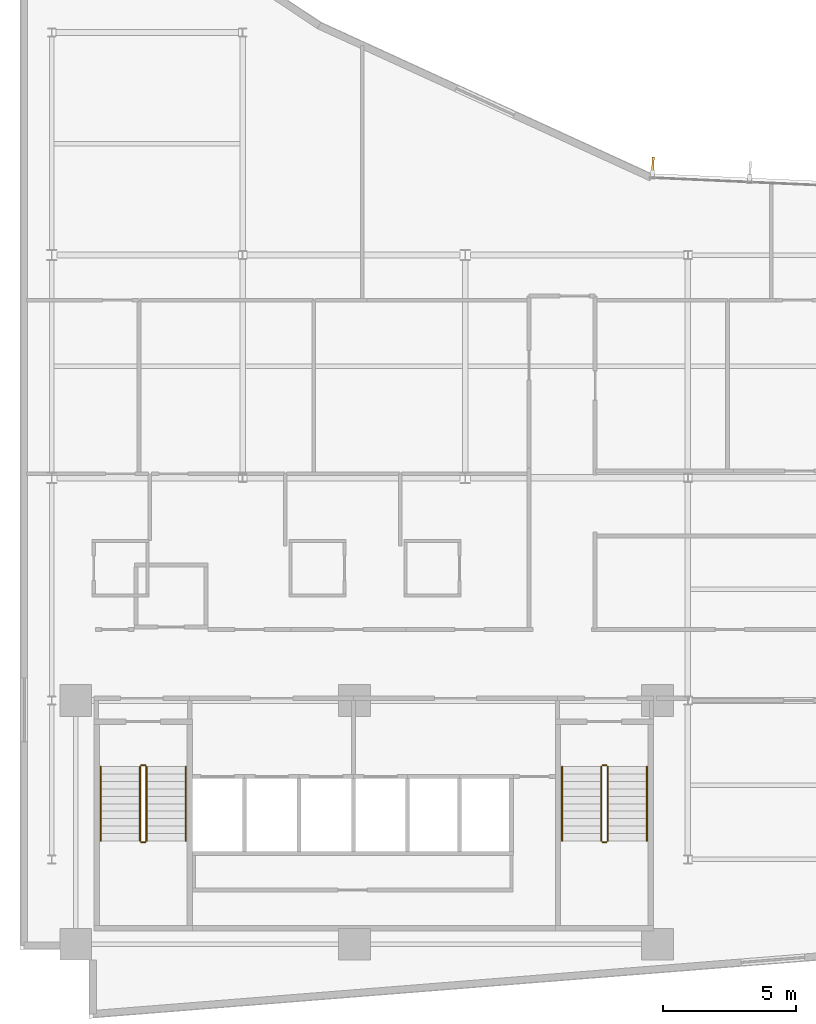
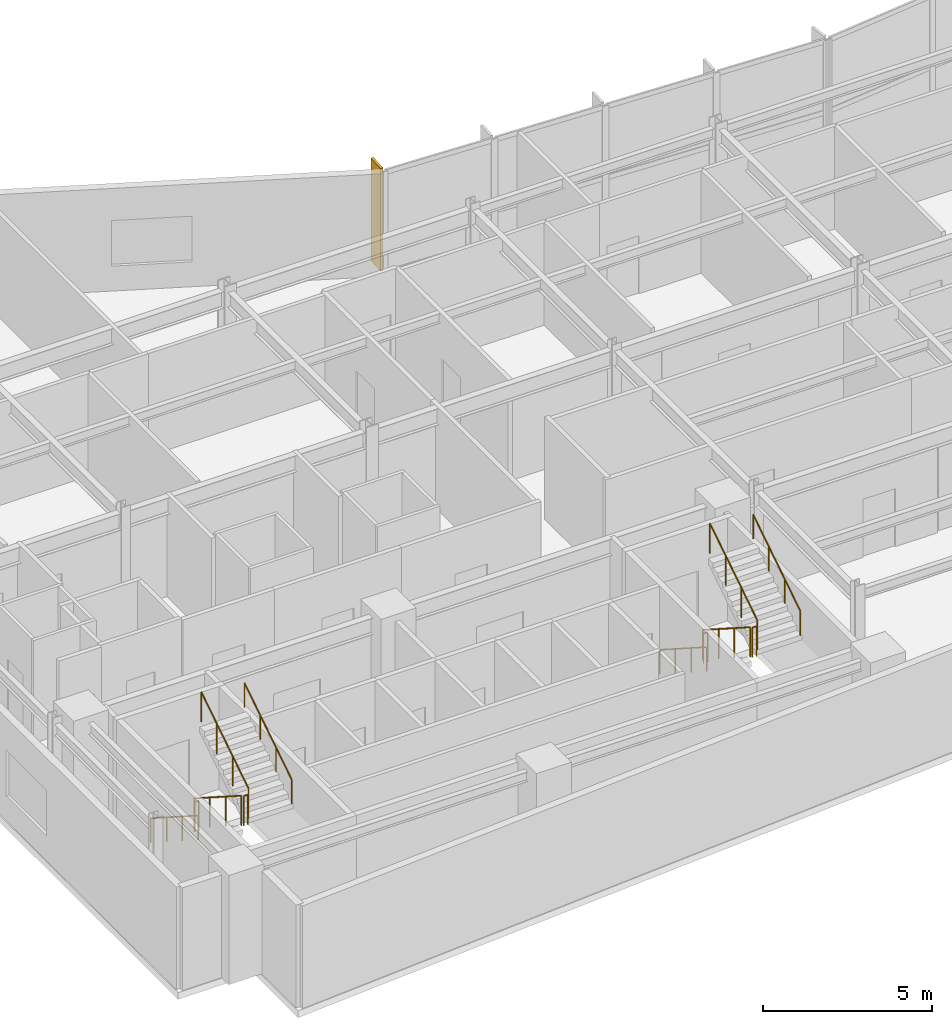
# One storey, part 13 of 17: 12 railings, 1 shading device.
"""IFC4 building model written with IfcOpenShell, lengths in metres."""

from ifc_helpers import new_model, si_unit, direction, frame, origin, origin_2d, place, context, subcontext, project, spatial, rectangle, circle, extrude, material, layer, layer_set, type_object, element, save


model = new_model("IFC4")

# Units and contexts
model_context = context("Model", 3, precision=1e-05, world=origin(), true_north=direction((0.0, 1.0)))
body_context = subcontext(model_context, "Body", "Model", "MODEL_VIEW")
ifc_project = project(units=[si_unit("LENGTHUNIT", "METRE"), si_unit("AREAUNIT", "SQUARE_METRE"), si_unit("VOLUMEUNIT", "CUBIC_METRE"), si_unit("PLANEANGLEUNIT", "RADIAN"), si_unit("MASSUNIT", "GRAM", prefix="KILO")], contexts=[model_context])

# Site, building, storey
site_placement = place(None, origin())
site = spatial("IfcSite", under=ifc_project, at=site_placement, CompositionType="ELEMENT")
building_placement = place(site_placement, origin())
building = spatial("IfcBuilding", under=site, at=building_placement, Name="Varnakote Quay Hospital", CompositionType="ELEMENT")
storey_placement = place(building_placement, frame((0.0, 0.0, 111.25)))
storey = spatial("IfcBuildingStorey", under=building, at=storey_placement, Name="L27", CompositionType="ELEMENT", Elevation=111.25)

# Railings
ifc_material_1 = material(Name="Brushed stainless steel balustrade", Category="steel")
railing_type_1 = type_object("IfcRailingType", Name="RLG-STAIR-GUARD-1150", PredefinedType="GUARDRAIL", material=ifc_material_1)
railing_1_placement = place(storey_placement, frame((4.530029296875, 9.5, 0.179443359375)))
element("IfcRailing", 1, at=railing_1_placement, inside=storey, type_object=railing_type_1, Name="L27 ST-01 stair guard 1", PredefinedType="GUARDRAIL", context=body_context, shape_type="SweptSolid", body=[
    extrude(circle(Radius=0.02392578125, at=origin_2d()), frame((0.0, 0.0, 1.076171875), z_axis=(0.0, -0.841776520102, 0.539826166654), x_axis=(1.0, 0.0, 0.0)), (0.0, 0.0, 1.0), 3.326416015625),
    extrude(circle(Radius=0.02099609375, at=origin_2d()), origin(), (0.0, 0.0, 1.0), 1.052001953125),
    extrude(circle(Radius=0.02099609375, at=origin_2d()), frame((0.0, -0.933349609375, 0.5986328125)), (0.0, 0.0, 1.0), 1.052001953125),
    extrude(circle(Radius=0.02099609375, at=origin_2d()), frame((0.0, -1.86669921875, 1.197021484375)), (0.0, 0.0, 1.0), 1.052001953125),
    extrude(circle(Radius=0.02099609375, at=origin_2d()), frame((0.0, -2.800048828125, 1.795654296875)), (0.0, 0.0, 1.0), 1.052001953125),
])
railing_2_placement = place(storey_placement, frame((4.580078125, 6.64990234375, 1.97509765625)))
element("IfcRailing", 2, at=railing_2_placement, inside=storey, type_object=railing_type_1, Name="L27 ST-01 stair guard 2", PredefinedType="GUARDRAIL", context=body_context, shape_type="SweptSolid", body=[
    extrude(circle(Radius=0.02392578125, at=origin_2d()), frame((0.0, 0.0, 1.076171875), z_axis=(1.0, 0.0, 0.0), x_axis=(0.0, 1.0, 0.0)), (0.0, 0.0, 1.0), 0.139892578125),
    extrude(circle(Radius=0.02099609375, at=origin_2d()), origin(), (0.0, 0.0, 1.0), 1.052001953125),
    extrude(circle(Radius=0.02099609375, at=origin_2d()), frame((0.139892578125, 0.0, 0.0)), (0.0, 0.0, 1.0), 1.052001953125),
])
railing_3_placement = place(storey_placement, frame((4.77001953125, 6.699951171875, 2.154541015625)))
element("IfcRailing", 3, at=railing_3_placement, inside=storey, type_object=railing_type_1, Name="L27 ST-01 stair guard 3", PredefinedType="GUARDRAIL", context=body_context, shape_type="SweptSolid", body=[
    extrude(circle(Radius=0.02392578125, at=origin_2d()), frame((0.0, 0.0, 1.076171875), z_axis=(0.0, 0.841809871826, 0.539774156196), x_axis=(-1.0, 0.0, 0.0)), (0.0, 0.0, 1.0), 3.326171875),
    extrude(circle(Radius=0.02099609375, at=origin_2d()), origin(), (0.0, 0.0, 1.0), 1.052001953125),
    extrude(circle(Radius=0.02099609375, at=origin_2d()), frame((0.0, 0.933349609375, 0.598388671875)), (0.0, 0.0, 1.0), 1.052001953125),
    extrude(circle(Radius=0.02099609375, at=origin_2d()), frame((0.0, 1.86669921875, 1.197021484375)), (0.0, 0.0, 1.0), 1.052001953125),
    extrude(circle(Radius=0.02099609375, at=origin_2d()), frame((0.0, 2.800048828125, 1.79541015625)), (0.0, 0.0, 1.0), 1.052001953125),
])
railing_4_placement = place(storey_placement, frame((4.580078125, 9.550048828125, 0.0)))
element("IfcRailing", 4, at=railing_4_placement, inside=storey, type_object=railing_type_1, Name="L27 ST-01 stair guard 4", PredefinedType="GUARDRAIL", context=body_context, shape_type="SweptSolid", body=[
    extrude(circle(Radius=0.02392578125, at=origin_2d()), frame((0.0, 0.0, 1.076171875), z_axis=(1.0, 0.0, 0.0), x_axis=(0.0, 1.0, 0.0)), (0.0, 0.0, 1.0), 0.139892578125),
    extrude(circle(Radius=0.02099609375, at=origin_2d()), origin(), (0.0, 0.0, 1.0), 1.052001953125),
    extrude(circle(Radius=0.02099609375, at=origin_2d()), frame((0.139892578125, 0.0, 0.0)), (0.0, 0.0, 1.0), 1.052001953125),
])
railing_5_placement = place(storey_placement, frame((21.929931640625, 9.5, 0.179443359375)))
element("IfcRailing", 5, at=railing_5_placement, inside=storey, type_object=railing_type_1, Name="L27 ST-02 stair guard 1", PredefinedType="GUARDRAIL", context=body_context, shape_type="SweptSolid", body=[
    extrude(circle(Radius=0.02392578125, at=origin_2d()), frame((0.0, 0.0, 1.076171875), z_axis=(0.0, -0.841776520102, 0.539826166654), x_axis=(1.0, 0.0, 0.0)), (0.0, 0.0, 1.0), 3.326416015625),
    extrude(circle(Radius=0.02099609375, at=origin_2d()), origin(), (0.0, 0.0, 1.0), 1.052001953125),
    extrude(circle(Radius=0.02099609375, at=origin_2d()), frame((0.0, -0.933349609375, 0.5986328125)), (0.0, 0.0, 1.0), 1.052001953125),
    extrude(circle(Radius=0.02099609375, at=origin_2d()), frame((0.0, -1.86669921875, 1.197021484375)), (0.0, 0.0, 1.0), 1.052001953125),
    extrude(circle(Radius=0.02099609375, at=origin_2d()), frame((0.0, -2.800048828125, 1.795654296875)), (0.0, 0.0, 1.0), 1.052001953125),
])
railing_6_placement = place(storey_placement, frame((21.97998046875, 6.64990234375, 1.97509765625)))
element("IfcRailing", 6, at=railing_6_placement, inside=storey, type_object=railing_type_1, Name="L27 ST-02 stair guard 2", PredefinedType="GUARDRAIL", context=body_context, shape_type="SweptSolid", body=[
    extrude(circle(Radius=0.02392578125, at=origin_2d()), frame((0.0, 0.0, 1.076171875), z_axis=(1.0, 0.0, 0.0), x_axis=(0.0, 1.0, 0.0)), (0.0, 0.0, 1.0), 0.14013671875),
    extrude(circle(Radius=0.02099609375, at=origin_2d()), origin(), (0.0, 0.0, 1.0), 1.052001953125),
    extrude(circle(Radius=0.02099609375, at=origin_2d()), frame((0.14013671875, 0.0, 0.0)), (0.0, 0.0, 1.0), 1.052001953125),
])
railing_7_placement = place(storey_placement, frame((22.169921875, 6.699951171875, 2.154541015625)))
element("IfcRailing", 7, at=railing_7_placement, inside=storey, type_object=railing_type_1, Name="L27 ST-02 stair guard 3", PredefinedType="GUARDRAIL", context=body_context, shape_type="SweptSolid", body=[
    extrude(circle(Radius=0.02392578125, at=origin_2d()), frame((0.0, 0.0, 1.076171875), z_axis=(0.0, 0.841809871826, 0.539774156196), x_axis=(-1.0, 0.0, 0.0)), (0.0, 0.0, 1.0), 3.326171875),
    extrude(circle(Radius=0.02099609375, at=origin_2d()), origin(), (0.0, 0.0, 1.0), 1.052001953125),
    extrude(circle(Radius=0.02099609375, at=origin_2d()), frame((0.0, 0.933349609375, 0.598388671875)), (0.0, 0.0, 1.0), 1.052001953125),
    extrude(circle(Radius=0.02099609375, at=origin_2d()), frame((0.0, 1.86669921875, 1.197021484375)), (0.0, 0.0, 1.0), 1.052001953125),
    extrude(circle(Radius=0.02099609375, at=origin_2d()), frame((0.0, 2.800048828125, 1.79541015625)), (0.0, 0.0, 1.0), 1.052001953125),
])
railing_8_placement = place(storey_placement, frame((21.97998046875, 9.550048828125, 0.0)))
element("IfcRailing", 8, at=railing_8_placement, inside=storey, type_object=railing_type_1, Name="L27 ST-02 stair guard 4", PredefinedType="GUARDRAIL", context=body_context, shape_type="SweptSolid", body=[
    extrude(circle(Radius=0.02392578125, at=origin_2d()), frame((0.0, 0.0, 1.076171875), z_axis=(1.0, 0.0, 0.0), x_axis=(0.0, 1.0, 0.0)), (0.0, 0.0, 1.0), 0.14013671875),
    extrude(circle(Radius=0.02099609375, at=origin_2d()), origin(), (0.0, 0.0, 1.0), 1.052001953125),
    extrude(circle(Radius=0.02099609375, at=origin_2d()), frame((0.14013671875, 0.0, 0.0)), (0.0, 0.0, 1.0), 1.052001953125),
])
ifc_material_2 = material(Name="Brushed stainless steel handrail", Category="steel")
railing_type_2 = type_object("IfcRailingType", Name="RLG-STAIR-HND-920", PredefinedType="HANDRAIL", material=ifc_material_2)
railing_9_placement = place(storey_placement, frame((3.050048828125, 9.5, 0.179443359375)))
element("IfcRailing", 9, at=railing_9_placement, inside=storey, type_object=railing_type_2, Name="L27 ST-01 stair handrail 1", PredefinedType="HANDRAIL", context=body_context, shape_type="SweptSolid", body=[
    extrude(circle(Radius=0.02392578125, at=origin_2d()), frame((0.0, 0.0, 0.8759765625), z_axis=(0.0, -0.841776520102, 0.539826166654), x_axis=(1.0, 0.0, 0.0)), (0.0, 0.0, 1.0), 3.326416015625),
    extrude(circle(Radius=0.02099609375, at=origin_2d()), origin(), (0.0, 0.0, 1.0), 0.851806640625),
    extrude(circle(Radius=0.02099609375, at=origin_2d()), frame((0.0, -0.933349609375, 0.5986328125)), (0.0, 0.0, 1.0), 0.851806640625),
    extrude(circle(Radius=0.02099609375, at=origin_2d()), frame((0.0, -1.86669921875, 1.197021484375)), (0.0, 0.0, 1.0), 0.851806640625),
    extrude(circle(Radius=0.02099609375, at=origin_2d()), frame((0.0, -2.800048828125, 1.795654296875)), (0.0, 0.0, 1.0), 0.851806640625),
])
railing_10_placement = place(storey_placement, frame((6.25, 6.699951171875, 2.154541015625)))
element("IfcRailing", 10, at=railing_10_placement, inside=storey, type_object=railing_type_2, Name="L27 ST-01 stair handrail 2", PredefinedType="HANDRAIL", context=body_context, shape_type="SweptSolid", body=[
    extrude(circle(Radius=0.02392578125, at=origin_2d()), frame((0.0, 0.0, 0.8759765625), z_axis=(0.0, 0.841809871826, 0.539774156196), x_axis=(-1.0, 0.0, 0.0)), (0.0, 0.0, 1.0), 3.326171875),
    extrude(circle(Radius=0.02099609375, at=origin_2d()), origin(), (0.0, 0.0, 1.0), 0.851806640625),
    extrude(circle(Radius=0.02099609375, at=origin_2d()), frame((0.0, 0.933349609375, 0.598388671875)), (0.0, 0.0, 1.0), 0.851806640625),
    extrude(circle(Radius=0.02099609375, at=origin_2d()), frame((0.0, 1.86669921875, 1.197021484375)), (0.0, 0.0, 1.0), 0.851806640625),
    extrude(circle(Radius=0.02099609375, at=origin_2d()), frame((0.0, 2.800048828125, 1.79541015625)), (0.0, 0.0, 1.0), 0.851806640625),
])
railing_11_placement = place(storey_placement, frame((20.449951171875, 9.5, 0.179443359375)))
element("IfcRailing", 11, at=railing_11_placement, inside=storey, type_object=railing_type_2, Name="L27 ST-02 stair handrail 1", PredefinedType="HANDRAIL", context=body_context, shape_type="SweptSolid", body=[
    extrude(circle(Radius=0.02392578125, at=origin_2d()), frame((0.0, 0.0, 0.8759765625), z_axis=(0.0, -0.841776520102, 0.539826166654), x_axis=(1.0, 0.0, 0.0)), (0.0, 0.0, 1.0), 3.326416015625),
    extrude(circle(Radius=0.02099609375, at=origin_2d()), origin(), (0.0, 0.0, 1.0), 0.851806640625),
    extrude(circle(Radius=0.02099609375, at=origin_2d()), frame((0.0, -0.933349609375, 0.5986328125)), (0.0, 0.0, 1.0), 0.851806640625),
    extrude(circle(Radius=0.02099609375, at=origin_2d()), frame((0.0, -1.86669921875, 1.197021484375)), (0.0, 0.0, 1.0), 0.851806640625),
    extrude(circle(Radius=0.02099609375, at=origin_2d()), frame((0.0, -2.800048828125, 1.795654296875)), (0.0, 0.0, 1.0), 0.851806640625),
])
railing_12_placement = place(storey_placement, frame((23.64990234375, 6.699951171875, 2.154541015625)))
element("IfcRailing", 12, at=railing_12_placement, inside=storey, type_object=railing_type_2, Name="L27 ST-02 stair handrail 2", PredefinedType="HANDRAIL", context=body_context, shape_type="SweptSolid", body=[
    extrude(circle(Radius=0.02392578125, at=origin_2d()), frame((0.0, 0.0, 0.8759765625), z_axis=(0.0, 0.841809871826, 0.539774156196), x_axis=(-1.0, 0.0, 0.0)), (0.0, 0.0, 1.0), 3.326171875),
    extrude(circle(Radius=0.02099609375, at=origin_2d()), origin(), (0.0, 0.0, 1.0), 0.851806640625),
    extrude(circle(Radius=0.02099609375, at=origin_2d()), frame((0.0, 0.933349609375, 0.598388671875)), (0.0, 0.0, 1.0), 0.851806640625),
    extrude(circle(Radius=0.02099609375, at=origin_2d()), frame((0.0, 1.86669921875, 1.197021484375)), (0.0, 0.0, 1.0), 0.851806640625),
    extrude(circle(Radius=0.02099609375, at=origin_2d()), frame((0.0, 2.800048828125, 1.79541015625)), (0.0, 0.0, 1.0), 0.851806640625),
])

# Shading device
ifc_material_3 = material(Name="Anodised aluminium 6063-T6 Bronze", Category="aluminium")
ifc_layer = layer(ifc_material_3, 0.0849609375)
ifc_layer_set = layer_set([ifc_layer], Name="Anodised aluminium 6063-T6 Bronze")
shading_device_type = type_object("IfcShadingDeviceType", Name="SHD-BRONZE-FIN-620", PredefinedType="USERDEFINED", material=ifc_layer_set)
shading_device_placement = place(storey_placement, frame((23.876220703125, 32.183349609375, 0.0), z_axis=(0.0, 0.0, 1.0), x_axis=(-0.044839922168, -0.998994184858, 0.0)))
element("IfcShadingDevice", 13, at=shading_device_placement, inside=storey, type_object=shading_device_type, Name="L27 Anodised Bronze Vertical Shading FIN", ObjectType="FIN", PredefinedType="USERDEFINED", context=body_context, shape_type="SweptSolid", body=[
    extrude(rectangle(XDim=0.6201171875, YDim=0.0849609375, at=origin_2d()), origin(), (0.0, 0.0, 1.0), 3.7099609375),
])

save(model, "model.ifc")
